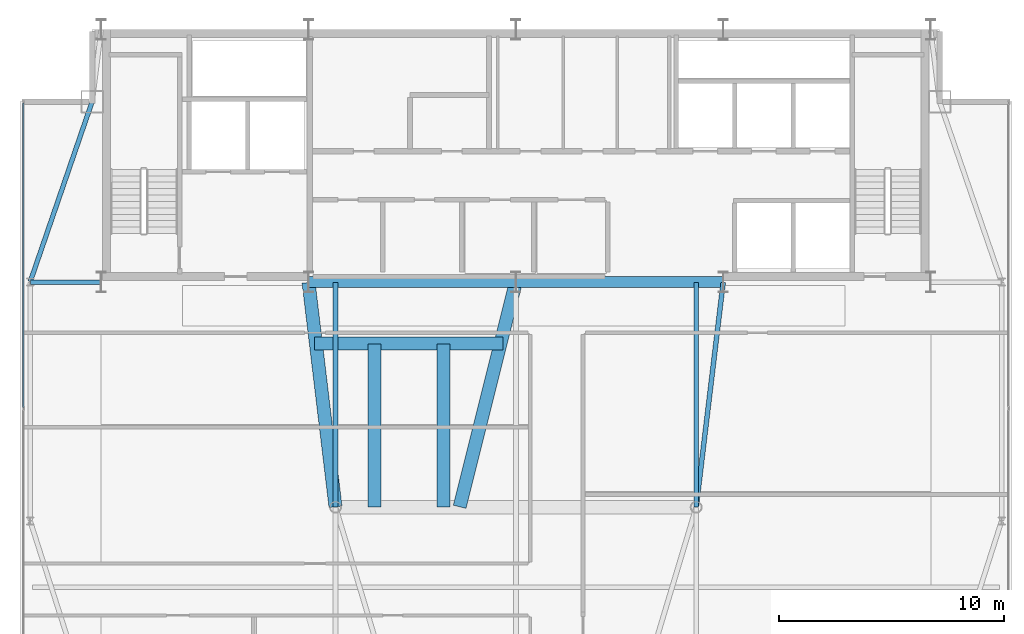
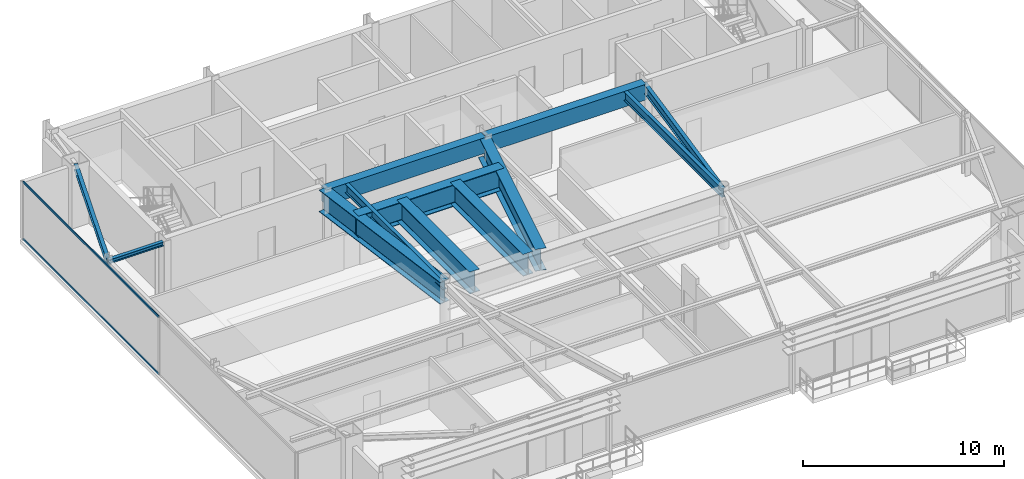
# One storey, part 10 of 21: 12 beams, 2 members, 1 element without a shape of its own.
"""IFC4 building model written with IfcOpenShell, lengths in metres."""

from ifc_helpers import new_model, si_unit, direction, frame, origin, origin_2d, place, context, subcontext, project, spatial, rectangle, hollow_rectangle, i_section, extrude, source, transform, mapped, material, layer, layer_set, material_profile, profile_set, type_object, type_shapes, element, aggregate, save


model = new_model("IFC4")

# Units and contexts
model_context = context("Model", 3, precision=1e-05, world=origin(), true_north=direction((0.0, 1.0)))
body_context = subcontext(model_context, "Body", "Model", "MODEL_VIEW")
ifc_project = project(units=[si_unit("LENGTHUNIT", "METRE"), si_unit("AREAUNIT", "SQUARE_METRE"), si_unit("VOLUMEUNIT", "CUBIC_METRE"), si_unit("PLANEANGLEUNIT", "RADIAN"), si_unit("MASSUNIT", "GRAM", prefix="KILO")], contexts=[model_context])

# Site, building, storey
site_placement = place(None, origin())
site = spatial("IfcSite", under=ifc_project, at=site_placement, CompositionType="ELEMENT")
building_placement = place(site_placement, origin())
building = spatial("IfcBuilding", under=site, at=building_placement, Name="Varnel Quay Broadcast Tower", CompositionType="ELEMENT")
storey_placement = place(building_placement, frame((0.0, 0.0, 296.39990234375)))
storey = spatial("IfcBuildingStorey", under=building, at=storey_placement, Name="L74", CompositionType="ELEMENT", Elevation=296.39990234375)

# Beams
ifc_material_1 = material(Name="Concrete CSA A23.3 C50/60", Category="concrete")
ifc_material_profile_1 = material_profile(ifc_material_1, rectangle(XDim=0.5, YDim=0.949951171875, at=origin_2d()), Name="RC500X950")
ifc_profile_set_1 = profile_set([ifc_material_profile_1], Name="Concrete CSA A23.3 C50/60")
beam_type_1 = type_object("IfcBeamType", Name="Beam_RC500X950", PredefinedType="BEAM", material=ifc_profile_set_1)
shared_shape_1 = source(origin(), body_context, "Body", "SweptSolid", [
    extrude(rectangle(XDim=0.5, YDim=0.949951171875, at=origin_2d()), origin(), (0.0, 0.0, 1.0), 9.159912109375),
])
type_shapes(beam_type_1, [shared_shape_1])
for number, where, z_axis, x_axis, name in (
    (1, (24.820068359375, 35.60009765625, 3.045166015625), (1.0, 0.0, 0.0), (0.0, 1.0, 0.0), "L74 Core Coupling Beam W"),
    (2, (34.02001953125, 35.60009765625, 3.045166015625), (1.0, 0.0, 0.0), (0.0, 1.0, 0.0), "L74 Core Coupling Beam E"),
):
    element("IfcBeam", number, at=place(storey_placement, frame(where, z_axis=z_axis, x_axis=x_axis)), inside=storey, type_object=beam_type_1, Name=name, PredefinedType="BEAM", context=body_context, shape_type="MappedRepresentation", body=[
        mapped(shared_shape_1, transform((0.0, 0.0, 0.0), x_axis=(1.0, 0.0, 0.0), y_axis=(0.0, 1.0, 0.0), z_axis=(0.0, 0.0, 1.0), scale=1.0)),
    ])
ifc_material_2 = material(Name="Structural Steel CSA G40.21 350W", Category="steel")
ifc_material_profile_2 = material_profile(ifc_material_2, i_section(OverallWidth=0.205078125, OverallDepth=0.35400390625, WebThickness=0.009521484375, FlangeThickness=0.016845703125, FilletRadius=0.012939453125, at=origin_2d()), Name="W360X79")
ifc_profile_set_2 = profile_set([ifc_material_profile_2], Name="Structural Steel CSA G40.21 350W")
beam_type_2 = type_object("IfcBeamType", Name="Beam_W360X79", PredefinedType="SPANDREL", material=ifc_profile_set_2)
shared_shape_2 = source(origin(), body_context, "Body", "SweptSolid", [
    extrude(i_section(OverallWidth=0.205078125, OverallDepth=0.35400390625, WebThickness=0.009521484375, FlangeThickness=0.016845703125, FilletRadius=0.012939453125, at=origin_2d()), origin(), (0.0, 0.0, 1.0), 8.41943359375),
])
type_shapes(beam_type_2, [shared_shape_2])
beam_1_placement = place(storey_placement, frame((12.45654296875, 35.618896484375, 3.343017578125), z_axis=(0.325087062108, 0.945684092099, 0.0), x_axis=(-0.945684092099, 0.325087062108, 0.0)))
element("IfcBeam", 3, at=beam_1_placement, inside=storey, type_object=beam_type_2, Name="L74 West Spandrel TC-W2-MC-NW", PredefinedType="SPANDREL", context=body_context, shape_type="MappedRepresentation", body=[
    mapped(shared_shape_2, transform((0.0, 0.0, 0.0), x_axis=(1.0, 0.0, 0.0), y_axis=(0.0, 1.0, 0.0), z_axis=(0.0, 0.0, 1.0), scale=1.0)),
])
ifc_material_profile_3 = material_profile(ifc_material_2, i_section(OverallWidth=0.2119140625, OverallDepth=0.5439453125, WebThickness=0.01318359375, FlangeThickness=0.021240234375, FilletRadius=0.013916015625, at=origin_2d()), Name="W530X123")
ifc_profile_set_3 = profile_set([ifc_material_profile_3], Name="Structural Steel CSA G40.21 350W")
beam_type_3 = type_object("IfcBeamType", Name="Girder_W530X123", PredefinedType="BEAM", material=ifc_profile_set_3)
shared_shape_3 = source(origin(), body_context, "Body", "SweptSolid", [
    extrude(i_section(OverallWidth=0.2119140625, OverallDepth=0.5439453125, WebThickness=0.01318359375, FlangeThickness=0.021240234375, FilletRadius=0.013916015625, at=origin_2d()), origin(), (0.0, 0.0, 1.0), 10.021728515625),
])
beam_2_placement = place(storey_placement, frame((42.00244140625, 25.6298828125, 3.248046875), z_axis=(0.119248005741, 0.992864498875, 0.0), x_axis=(-0.992864498875, 0.119248005741, 0.0)))
element("IfcBeam", 4, at=beam_2_placement, inside=storey, type_object=beam_type_3, Name="L74 Primary Girder IC-02-CC-S4", PredefinedType="BEAM", context=body_context, shape_type="MappedRepresentation", body=[
    mapped(shared_shape_3, transform((0.0, 0.0, 0.0), x_axis=(1.0, 0.0, 0.0), y_axis=(0.0, 1.0, 0.0), z_axis=(0.0, 0.0, 1.0), scale=1.0)),
])
shared_shape_4 = source(origin(), body_context, "Body", "SweptSolid", [
    extrude(i_section(OverallWidth=0.2119140625, OverallDepth=0.5439453125, WebThickness=0.01318359375, FlangeThickness=0.021240234375, FilletRadius=0.013916015625, at=origin_2d()), origin(), (0.0, 0.0, 1.0), 9.9501953125),
])
type_shapes(beam_type_3, [shared_shape_3, shared_shape_4])
for number, where, z_axis, x_axis, name in (
    (5, (26.0, 25.6298828125, 3.248046875), (0.0, 1.0, 0.0), (-1.0, 0.0, 0.0), "L74 N-S Joist Header IC-01N"),
    (6, (42.0, 25.6298828125, 3.248046875), (0.0, 1.0, 0.0), (-1.0, 0.0, 0.0), "L74 N-S Joist Header IC-02N"),
):
    element("IfcBeam", number, at=place(storey_placement, frame(where, z_axis=z_axis, x_axis=x_axis)), inside=storey, type_object=beam_type_3, Name=name, PredefinedType="BEAM", context=body_context, shape_type="MappedRepresentation", body=[
        mapped(shared_shape_4, transform((0.0, 0.0, 0.0), x_axis=(1.0, 0.0, 0.0), y_axis=(0.0, 1.0, 0.0), z_axis=(0.0, 0.0, 1.0), scale=1.0)),
    ])
ifc_material_profile_4 = material_profile(ifc_material_2, i_section(OverallWidth=0.201904296875, OverallDepth=0.2470703125, WebThickness=0.00732421875, FlangeThickness=0.010986328125, FilletRadius=0.010986328125, at=origin_2d()), Name="W250X49")
ifc_profile_set_4 = profile_set([ifc_material_profile_4], Name="Structural Steel CSA G40.21 350W")
beam_type_4 = type_object("IfcBeamType", Name="Beam_W250X49", PredefinedType="JOIST", material=ifc_profile_set_4)
shared_shape_5 = source(origin(), body_context, "Body", "SweptSolid", [
    extrude(i_section(OverallWidth=0.201904296875, OverallDepth=0.2470703125, WebThickness=0.00732421875, FlangeThickness=0.010986328125, FilletRadius=0.010986328125, at=origin_2d()), origin(), (0.0, 0.0, 1.0), 3.110107421875),
])
type_shapes(beam_type_4, [shared_shape_5])
beam_3_placement = place(storey_placement, frame((12.469970703125, 35.60009765625, 3.396484375), z_axis=(1.0, 0.0, 0.0), x_axis=(0.0, 1.0, 0.0)))
element("IfcBeam", 7, at=beam_3_placement, inside=storey, type_object=beam_type_4, Name="L74 West Core Tie Joist", PredefinedType="JOIST", context=body_context, shape_type="MappedRepresentation", body=[
    mapped(shared_shape_5, transform((0.0, 0.0, 0.0), x_axis=(1.0, 0.0, 0.0), y_axis=(0.0, 1.0, 0.0), z_axis=(0.0, 0.0, 1.0), scale=1.0)),
])
ifc_material_3 = material(Name="Structural Steel CSA G40.21 350WT", Category="steel")
ifc_material_profile_5 = material_profile(ifc_material_3, i_section(OverallWidth=0.580078125, OverallDepth=1.330078125, WebThickness=0.02197265625, FlangeThickness=0.0380859375, FilletRadius=0.02001953125, at=origin_2d()), Name="WWF1330X535")
ifc_profile_set_5 = profile_set([ifc_material_profile_5], Name="Structural Steel CSA G40.21 350WT")
beam_type_5 = type_object("IfcBeamType", Name="Girder_WWF1330X535", PredefinedType="BEAM", material=ifc_profile_set_5)
shared_shape_6 = source(origin(), body_context, "Body", "SweptSolid", [
    extrude(i_section(OverallWidth=0.580078125, OverallDepth=1.330078125, WebThickness=0.02197265625, FlangeThickness=0.0380859375, FilletRadius=0.02001953125, at=origin_2d()), origin(), (0.0, 0.0, 1.0), 10.021728515625),
])
beam_4_placement = place(storey_placement, frame((25.99755859375, 25.6298828125, 2.85498046875), z_axis=(-0.119248005741, 0.992864498875, 0.0), x_axis=(-0.992864498875, -0.119248005741, 0.0)))
element("IfcBeam", 8, at=beam_4_placement, inside=storey, type_object=beam_type_5, Name="L74 ST4 West Primary Transfer Girder", PredefinedType="BEAM", context=body_context, shape_type="MappedRepresentation", body=[
    mapped(shared_shape_6, transform((0.0, 0.0, 0.0), x_axis=(1.0, 0.0, 0.0), y_axis=(0.0, 1.0, 0.0), z_axis=(0.0, 0.0, 1.0), scale=1.0)),
])
shared_shape_7 = source(origin(), body_context, "Body", "SweptSolid", [
    extrude(i_section(OverallWidth=0.580078125, OverallDepth=1.330078125, WebThickness=0.02197265625, FlangeThickness=0.0380859375, FilletRadius=0.02001953125, at=origin_2d()), origin(), (0.0, 0.0, 1.0), 10.258056640625),
])
beam_5_placement = place(storey_placement, frame((31.5048828125, 25.62939453125, 2.85498046875), z_axis=(0.242759618219, 0.970086474373, 0.0), x_axis=(-0.970086474373, 0.242759618219, 0.0)))
element("IfcBeam", 9, at=beam_5_placement, inside=storey, type_object=beam_type_5, Name="L74 ST4 East Secondary Transfer Girder", PredefinedType="BEAM", context=body_context, shape_type="MappedRepresentation", body=[
    mapped(shared_shape_7, transform((0.0, 0.0, 0.0), x_axis=(1.0, 0.0, 0.0), y_axis=(0.0, 1.0, 0.0), z_axis=(0.0, 0.0, 1.0), scale=1.0)),
])
shared_shape_8 = source(origin(), body_context, "Body", "SweptSolid", [
    extrude(i_section(OverallWidth=0.580078125, OverallDepth=1.330078125, WebThickness=0.02197265625, FlangeThickness=0.0380859375, FilletRadius=0.02001953125, at=origin_2d()), origin(), (0.0, 0.0, 1.0), 8.35986328125),
])
beam_6_placement = place(storey_placement, frame((25.070068359375, 32.8798828125, 2.85498046875), z_axis=(1.0, 0.0, 0.0), x_axis=(0.0, 1.0, 0.0)))
element("IfcBeam", 10, at=beam_6_placement, inside=storey, type_object=beam_type_5, Name="L74 ST4 North Header Transfer Girder", PredefinedType="BEAM", context=body_context, shape_type="MappedRepresentation", body=[
    mapped(shared_shape_8, transform((0.0, 0.0, 0.0), x_axis=(1.0, 0.0, 0.0), y_axis=(0.0, 1.0, 0.0), z_axis=(0.0, 0.0, 1.0), scale=1.0)),
])
shared_shape_9 = source(origin(), body_context, "Body", "SweptSolid", [
    extrude(i_section(OverallWidth=0.580078125, OverallDepth=1.330078125, WebThickness=0.02197265625, FlangeThickness=0.0380859375, FilletRadius=0.02001953125, at=origin_2d()), origin(), (0.0, 0.0, 1.0), 7.230224609375),
])
type_shapes(beam_type_5, [shared_shape_6, shared_shape_7, shared_shape_8, shared_shape_9])
for number, where, z_axis, x_axis, name in (
    (11, (27.719970703125, 25.6298828125, 2.85498046875), (0.0, 1.0, 0.0), (-1.0, 0.0, 0.0), "L74 ST4 West Shaft Transfer Girder"),
    (12, (30.780029296875, 25.6298828125, 2.85498046875), (0.0, 1.0, 0.0), (-1.0, 0.0, 0.0), "L74 ST4 East Shaft Transfer Girder"),
):
    element("IfcBeam", number, at=place(storey_placement, frame(where, z_axis=z_axis, x_axis=x_axis)), inside=storey, type_object=beam_type_5, Name=name, PredefinedType="BEAM", context=body_context, shape_type="MappedRepresentation", body=[
        mapped(shared_shape_9, transform((0.0, 0.0, 0.0), x_axis=(1.0, 0.0, 0.0), y_axis=(0.0, 1.0, 0.0), z_axis=(0.0, 0.0, 1.0), scale=1.0)),
    ])

# Curtain wall, members
ifc_material_4 = material(Name="Anodised Bronze Aluminium 6063-T6", Category="aluminium")
ifc_layer = layer(ifc_material_4, 0.18994140625, Name="Anodised Bronze Aluminium 6063-T6")
ifc_layer_set = layer_set([ifc_layer], Name="Anodised Bronze Aluminium 6063-T6")
curtain_wall_type = type_object("IfcCurtainWallType", Name="CW_UpperTower", PredefinedType="NOTDEFINED", material=ifc_layer_set)
curtain_wall_placement = place(storey_placement, origin())
curtain_wall = element("IfcCurtainWall", 13, at=curtain_wall_placement, inside=storey, type_object=curtain_wall_type, Name="L74 West Unitised Curtain Wall", PredefinedType="NOTDEFINED")
ifc_material_profile_6 = material_profile(ifc_material_4, hollow_rectangle(XDim=0.06005859375, YDim=0.125, WallThickness=0.0029296875, at=origin_2d()), Name="ALU60X125X3")
ifc_profile_set_6 = profile_set([ifc_material_profile_6], Name="Anodised Bronze Aluminium 6063-T6")
member_type = type_object("IfcMemberType", Name="Tran_CWS-03", PredefinedType="USERDEFINED", material=ifc_profile_set_6)
shared_shape_10 = source(origin(), body_context, "Body", "SweptSolid", [
    extrude(hollow_rectangle(XDim=0.06005859375, YDim=0.125, WallThickness=0.0029296875, at=origin_2d()), origin(), (0.0, 0.0, 1.0), 13.50244140625),
])
type_shapes(member_type, [shared_shape_10])
member_1_placement = place(storey_placement, frame((12.14990234375, 30.032470703125, 0.030029296875), z_axis=(0.0, 1.0, 0.0), x_axis=(-1.0, 0.0, 0.0)))
member_1 = element("IfcMember", 14, at=member_1_placement, type_object=member_type, Name="CWS-03 transom 2.1", ObjectType="TRANSOM", PredefinedType="USERDEFINED", context=body_context, shape_type="MappedRepresentation", body=[
    mapped(shared_shape_10, transform((0.0, 0.0, 0.0), x_axis=(1.0, 0.0, 0.0), y_axis=(0.0, 1.0, 0.0), z_axis=(0.0, 0.0, 1.0), scale=1.0)),
])
member_2_placement = place(storey_placement, frame((12.14990234375, 30.032470703125, 3.489990234375), z_axis=(0.0, 1.0, 0.0), x_axis=(-1.0, 0.0, 0.0)))
member_2 = element("IfcMember", 15, at=member_2_placement, type_object=member_type, Name="CWS-03 transom 2.2", ObjectType="TRANSOM", PredefinedType="USERDEFINED", context=body_context, shape_type="MappedRepresentation", body=[
    mapped(shared_shape_10, transform((0.0, 0.0, 0.0), x_axis=(1.0, 0.0, 0.0), y_axis=(0.0, 1.0, 0.0), z_axis=(0.0, 0.0, 1.0), scale=1.0)),
])
aggregate(curtain_wall, [member_1, member_2])

save(model, "model.ifc")
